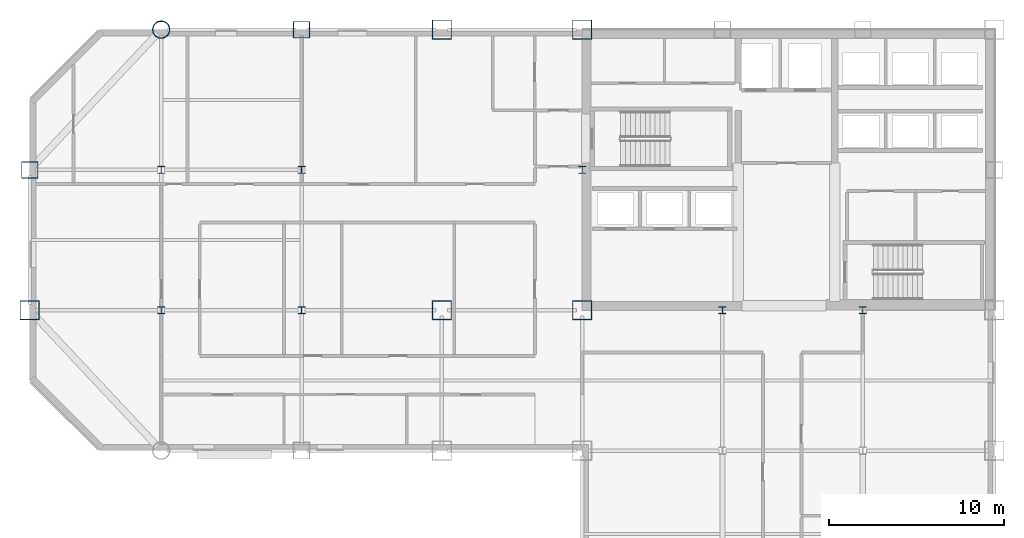
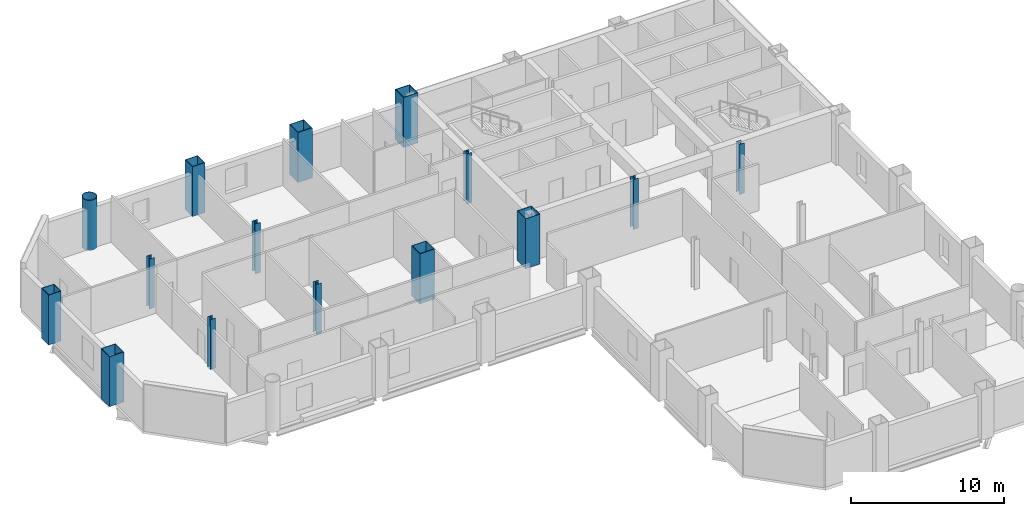
# One storey, part 3 of 10: 15 columns.
"""IFC4 building model written with IfcOpenShell, lengths in metres."""

from ifc_helpers import new_model, si_unit, direction, frame, origin, origin_2d, place, context, subcontext, project, spatial, hollow_rectangle, hollow_circle, i_section, extrude, material, material_profile, profile_set, type_object, element, save


model = new_model("IFC4")

# Units and contexts
model_context = context("Model", 3, precision=1e-05, world=origin(), true_north=direction((0.0, 1.0)))
body_context = subcontext(model_context, "Body", "Model", "MODEL_VIEW")
ifc_project = project(units=[si_unit("LENGTHUNIT", "METRE"), si_unit("AREAUNIT", "SQUARE_METRE"), si_unit("VOLUMEUNIT", "CUBIC_METRE"), si_unit("PLANEANGLEUNIT", "RADIAN"), si_unit("MASSUNIT", "GRAM", prefix="KILO")], contexts=[model_context])

# Site, building, storey
site_placement = place(None, origin())
site = spatial("IfcSite", under=ifc_project, at=site_placement, CompositionType="ELEMENT")
building_placement = place(site_placement, origin())
building = spatial("IfcBuilding", under=site, at=building_placement, Name="Qianrong Seaharbour Tower", CompositionType="ELEMENT")
storey_placement = place(building_placement, frame((0.0, 0.0, 183.0)))
storey = spatial("IfcBuildingStorey", under=building, at=storey_placement, Name="L44", CompositionType="ELEMENT", Elevation=183.0)

# Columns
ifc_material = material(Name="Structural steel SN490B", Category="steel")
ifc_material_profile_1 = material_profile(ifc_material, hollow_rectangle(XDim=1.10009765625, YDim=1.10009765625, WallThickness=0.0400390625, at=origin_2d()), Name="BOX1100x1100x40")
ifc_profile_set_1 = profile_set([ifc_material_profile_1], Name="Structural steel SN490B")
column_type_1 = type_object("IfcColumnType", Name="COL-CFT-1100", PredefinedType="COLUMN", material=ifc_profile_set_1)
for number, where, z_axis, x_axis, name in (
    (1, (9.0, 36.0, 0.0), (0.0, 0.0, 1.0), (1.0, 0.0, 0.0), "L44 Column MC-3 at G2/GF"),
    (2, (32.5, 36.0, 0.0), (0.0, 0.0, 1.0), (1.0, 0.0, 0.0), "L44 Column MC-3 at G5/GF"),
    (3, (32.5, 52.0, 0.0), (0.0, 0.0, 1.0), (1.0, 0.0, 0.0), "L44 Column MC-3 at G5/GH"),
    (4, (40.5, 36.0, 0.0), (0.0, 0.0, 1.0), (1.0, 0.0, 0.0), "L44 Column MC-3 at G6/GF"),
    (5, (40.5, 52.0, 0.0), (0.0, 0.0, 1.0), (1.0, 0.0, 0.0), "L44 Column MC-3 at G6/GH"),
):
    element("IfcColumn", number, at=place(storey_placement, frame(where, z_axis=z_axis, x_axis=x_axis)), inside=storey, type_object=column_type_1, Name=name, PredefinedType="COLUMN", context=body_context, shape_type="SweptSolid", body=[
        extrude(hollow_rectangle(XDim=1.10009765625, YDim=1.10009765625, WallThickness=0.0400390625, at=origin_2d()), origin(), (0.0, 0.0, 1.0), 4.0),
    ])
ifc_material_profile_2 = material_profile(ifc_material, hollow_circle(Radius=0.5, WallThickness=0.035888671875, at=origin_2d()), Name="CHS1000x36")
ifc_profile_set_2 = profile_set([ifc_material_profile_2], Name="Structural steel SN490B")
column_type_2 = type_object("IfcColumnType", Name="COL-CHS-1000", PredefinedType="COLUMN", material=ifc_profile_set_2)
column_placement = place(storey_placement, frame((16.5, 52.0, 0.0), z_axis=(0.0, 0.0, 1.0), x_axis=(1.0, 0.0, 0.0)))
element("IfcColumn", 6, at=column_placement, inside=storey, type_object=column_type_2, Name="L44 Column CC-2 at G3/GH", PredefinedType="COLUMN", context=body_context, shape_type="SweptSolid", body=[
    extrude(hollow_circle(Radius=0.5, WallThickness=0.035888671875, at=origin_2d()), origin(), (0.0, 0.0, 1.0), 4.0),
])
ifc_material_profile_3 = material_profile(ifc_material, i_section(OverallWidth=0.39990234375, OverallDepth=0.39990234375, WebThickness=0.012939453125, FlangeThickness=0.02099609375, FilletRadius=0.02197265625, at=origin_2d()), Name="H400x400x13x21")
ifc_profile_set_3 = profile_set([ifc_material_profile_3], Name="Structural steel SN490B")
column_type_3 = type_object("IfcColumnType", Name="COL-INT-H400", PredefinedType="COLUMN", material=ifc_profile_set_3)
for number, where, z_axis, x_axis, name in (
    (7, (16.5, 36.0, 0.0), (0.0, 0.0, 1.0), (1.0, 0.0, 0.0), "L44 Column IC-3 at G3/GF"),
    (8, (16.5, 44.0, 0.0), (0.0, 0.0, 1.0), (1.0, 0.0, 0.0), "L44 Column IC-3 at G3/GG"),
    (9, (24.5, 36.0, 0.0), (0.0, 0.0, 1.0), (1.0, 0.0, 0.0), "L44 Column IC-3 at G4/GF"),
    (10, (24.5, 44.0, 0.0), (0.0, 0.0, 1.0), (1.0, 0.0, 0.0), "L44 Column IC-3 at G4/GG"),
    (11, (40.5, 44.0, 0.0), (0.0, 0.0, 1.0), (1.0, 0.0, 0.0), "L44 Column IC-3 at G6/GG"),
    (12, (48.5, 36.0, 0.0), (0.0, 0.0, 1.0), (1.0, 0.0, 0.0), "L44 Column IC-3 at G7/GF"),
    (13, (56.5, 36.0, 0.0), (0.0, 0.0, 1.0), (1.0, 0.0, 0.0), "L44 Column IC-3 at G8/GF"),
):
    element("IfcColumn", number, at=place(storey_placement, frame(where, z_axis=z_axis, x_axis=x_axis)), inside=storey, type_object=column_type_3, Name=name, PredefinedType="COLUMN", context=body_context, shape_type="SweptSolid", body=[
        extrude(i_section(OverallWidth=0.39990234375, OverallDepth=0.39990234375, WebThickness=0.012939453125, FlangeThickness=0.02099609375, FilletRadius=0.02197265625, at=origin_2d()), origin(), (0.0, 0.0, 1.0), 4.0),
    ])
ifc_material_profile_4 = material_profile(ifc_material, hollow_rectangle(XDim=0.949951171875, YDim=0.949951171875, WallThickness=0.035888671875, at=origin_2d()), Name="BOX950x950x36")
ifc_profile_set_4 = profile_set([ifc_material_profile_4], Name="Structural steel SN490B")
column_type_4 = type_object("IfcColumnType", Name="COL-PER-950", PredefinedType="COLUMN", material=ifc_profile_set_4)
for number, where, z_axis, x_axis, name in (
    (14, (9.0, 44.0, 0.0), (0.0, 0.0, 1.0), (1.0, 0.0, 0.0), "L44 Column PC-2 at G2/GG"),
    (15, (24.5, 52.0, 0.0), (0.0, 0.0, 1.0), (1.0, 0.0, 0.0), "L44 Column PC-2 at G4/GH"),
):
    element("IfcColumn", number, at=place(storey_placement, frame(where, z_axis=z_axis, x_axis=x_axis)), inside=storey, type_object=column_type_4, Name=name, PredefinedType="COLUMN", context=body_context, shape_type="SweptSolid", body=[
        extrude(hollow_rectangle(XDim=0.949951171875, YDim=0.949951171875, WallThickness=0.035888671875, at=origin_2d()), origin(), (0.0, 0.0, 1.0), 4.0),
    ])

save(model, "model.ifc")
